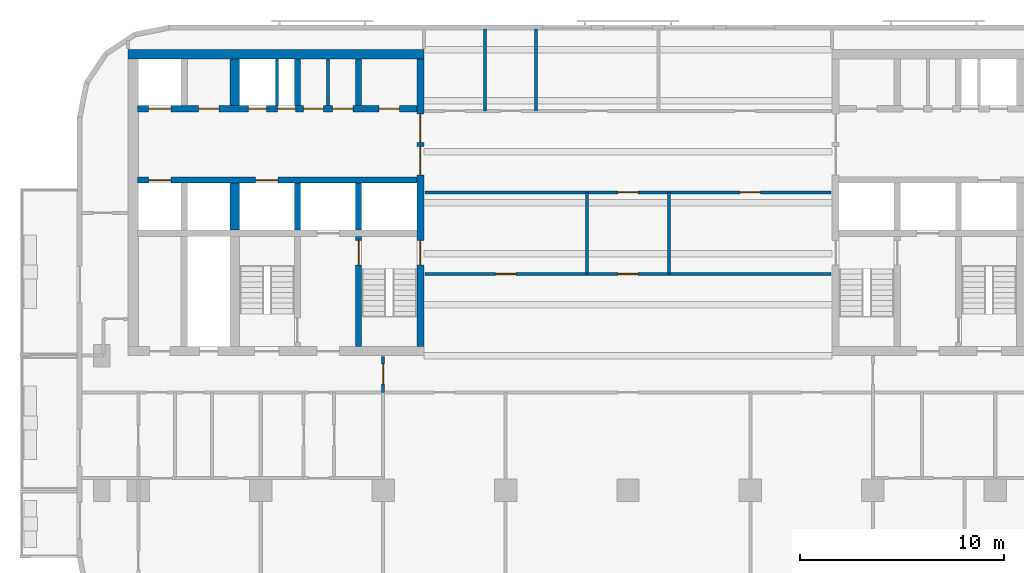
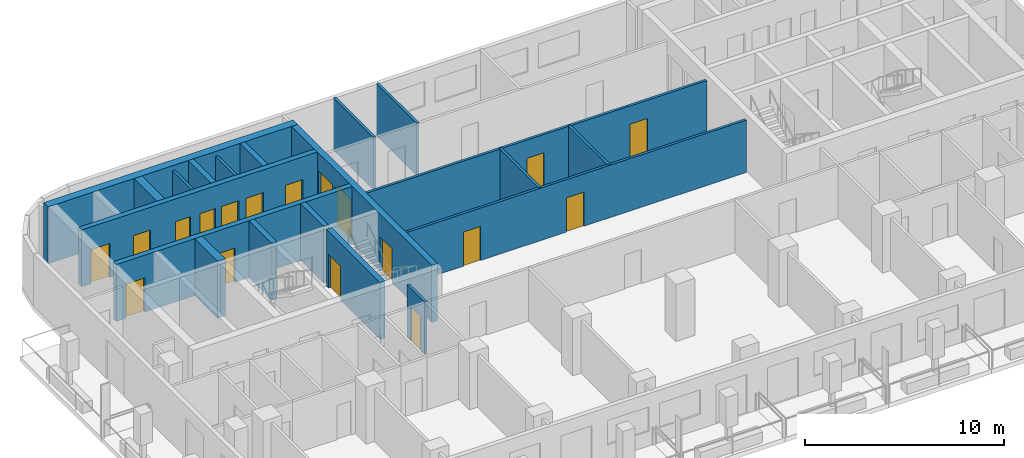
# One storey, part 4 of 11: 20 walls, 18 doors, 18 openings.
"""IFC4 building model written with IfcOpenShell, lengths in metres."""

from ifc_helpers import new_model, si_unit, direction, frame, frame_2d, origin, place, context, subcontext, project, spatial, rectangle, extrude, material, layer, layer_set, type_object, element, fill, save


model = new_model("IFC4")

# Units and contexts
model_context = context("Model", 3, precision=1e-05, world=origin(), true_north=direction((0.0, 1.0)))
body_context = subcontext(model_context, "Body", "Model", "MODEL_VIEW")
ifc_project = project(units=[si_unit("LENGTHUNIT", "METRE"), si_unit("AREAUNIT", "SQUARE_METRE"), si_unit("VOLUMEUNIT", "CUBIC_METRE"), si_unit("PLANEANGLEUNIT", "RADIAN"), si_unit("MASSUNIT", "GRAM", prefix="KILO")], contexts=[model_context])

# Site, building, storey
site_placement = place(None, origin())
site = spatial("IfcSite", under=ifc_project, at=site_placement, CompositionType="ELEMENT")
building_placement = place(site_placement, origin())
building = spatial("IfcBuilding", under=site, at=building_placement, Name="Torana Hotel and Residences", CompositionType="ELEMENT")
storey_placement = place(building_placement, frame((0.0, 0.0, 215.10009765625)))
storey = spatial("IfcBuildingStorey", under=building, at=storey_placement, Name="L56", CompositionType="ELEMENT", Elevation=215.10009765625)

# Wall, openings, doors
ifc_material_1 = material(Name="Concrete C70/85", Category="concrete")
ifc_layer_1 = layer(ifc_material_1, 0.300048828125)
ifc_layer_set_1 = layer_set([ifc_layer_1], Name="CORE WALL 300 C70/85")
wall_type_1 = type_object("IfcWallType", Name="CORE WALL 300 C70/85", PredefinedType="SHEAR", material=ifc_layer_set_1)
wall_1_placement = place(storey_placement, frame((-24.050048828125, -2.89990234375, 0.0), z_axis=(0.0, 0.0, 1.0), x_axis=(1.0, 0.0, 0.0)))
wall_1 = element("IfcWall", 1, at=wall_1_placement, inside=storey, type_object=wall_type_1, Name="Core wall W row-N", PredefinedType="SHEAR", context=body_context, shape_type="SweptSolid", body=[
    extrude(rectangle(XDim=13.699951171875, YDim=0.300048828125, at=frame_2d((6.85009765625, 0.0))), origin(), (0.0, 0.0, 1.0), 3.5),
])
opening_1_placement = place(wall_1_placement, frame((0.550048828125, 0.0, 0.0)))
opening_1 = element("IfcOpeningElement", 2, at=opening_1_placement, cuts=wall_1, Name="Opening LD", PredefinedType="OPENING", context=body_context, shape_type="SweptSolid", body=[
    extrude(rectangle(XDim=1.10009765625, YDim=2.10009765625, at=frame_2d((0.550048828125, 1.050048828125))), frame((0.0, 0.159912109375, 0.0), z_axis=(0.0, -1.0, 0.0), x_axis=(1.0, 0.0, 0.0)), (0.0, 0.0, 1.0), 0.320068359375),
])
opening_2_placement = place(wall_1_placement, frame((6.862548828125, 0.0, 0.0)))
opening_2 = element("IfcOpeningElement", 3, at=opening_2_placement, cuts=wall_1, Name="Opening L56-08", PredefinedType="OPENING", context=body_context, shape_type="SweptSolid", body=[
    extrude(rectangle(XDim=0.89990234375, YDim=2.10009765625, at=frame_2d((0.449951171875, 1.050048828125))), frame((0.0, 0.159912109375, 0.0), z_axis=(0.0, -1.0, 0.0), x_axis=(1.0, 0.0, 0.0)), (0.0, 0.0, 1.0), 0.320068359375),
])
opening_3_placement = place(wall_1_placement, frame((5.4375, 0.0, 0.0)))
opening_3 = element("IfcOpeningElement", 4, at=opening_3_placement, cuts=wall_1, Name="Opening L56-09", PredefinedType="OPENING", context=body_context, shape_type="SweptSolid", body=[
    extrude(rectangle(XDim=0.89990234375, YDim=2.10009765625, at=frame_2d((0.449951171875, 1.050048828125))), frame((0.0, 0.159912109375, 0.0), z_axis=(0.0, -1.0, 0.0), x_axis=(1.0, 0.0, 0.0)), (0.0, 0.0, 1.0), 0.320068359375),
])
opening_4_placement = place(wall_1_placement, frame((11.85009765625, 0.0, 0.0)))
opening_4 = element("IfcOpeningElement", 5, at=opening_4_placement, cuts=wall_1, Name="Opening L56-10", PredefinedType="OPENING", context=body_context, shape_type="SweptSolid", body=[
    extrude(rectangle(XDim=1.0, YDim=2.10009765625, at=frame_2d((0.5, 1.050048828125))), frame((0.0, 0.159912109375, 0.0), z_axis=(0.0, -1.0, 0.0), x_axis=(1.0, 0.0, 0.0)), (0.0, 0.0, 1.0), 0.320068359375),
])
opening_5_placement = place(wall_1_placement, frame((9.5625, 0.0, 0.0)))
opening_5 = element("IfcOpeningElement", 6, at=opening_5_placement, cuts=wall_1, Name="Opening L56-11", PredefinedType="OPENING", context=body_context, shape_type="SweptSolid", body=[
    extrude(rectangle(XDim=1.0, YDim=2.10009765625, at=frame_2d((0.5, 1.050048828125))), frame((0.0, 0.159912109375, 0.0), z_axis=(0.0, -1.0, 0.0), x_axis=(1.0, 0.0, 0.0)), (0.0, 0.0, 1.0), 0.320068359375),
])
opening_6_placement = place(wall_1_placement, frame((8.137451171875, 0.0, 0.0)))
opening_6 = element("IfcOpeningElement", 7, at=opening_6_placement, cuts=wall_1, Name="Opening L56-12", PredefinedType="OPENING", context=body_context, shape_type="SweptSolid", body=[
    extrude(rectangle(XDim=1.0, YDim=2.10009765625, at=frame_2d((0.5, 1.050048828125))), frame((0.0, 0.159912109375, 0.0), z_axis=(0.0, -1.0, 0.0), x_axis=(1.0, 0.0, 0.0)), (0.0, 0.0, 1.0), 0.320068359375),
])
opening_7_placement = place(wall_1_placement, frame((3.0, 0.0, 0.0)))
opening_7 = element("IfcOpeningElement", 8, at=opening_7_placement, cuts=wall_1, Name="Opening L56-13", PredefinedType="OPENING", context=body_context, shape_type="SweptSolid", body=[
    extrude(rectangle(XDim=1.0, YDim=2.10009765625, at=frame_2d((0.5, 1.050048828125))), frame((0.0, 0.159912109375, 0.0), z_axis=(0.0, -1.0, 0.0), x_axis=(1.0, 0.0, 0.0)), (0.0, 0.0, 1.0), 0.320068359375),
])
ifc_material_2 = material(Name="Steel S235", Category="steel")
door_type_1 = type_object("IfcDoorType", Name="CORE ROOM FIRE DOOR D14 1000x2100", OperationType="SINGLE_SWING_LEFT", PredefinedType="DOOR", material=ifc_material_2)
door_1_placement = place(opening_4_placement, origin())
door_1 = element("IfcDoor", 9, at=door_1_placement, inside=storey, type_object=door_type_1, Name="N0 door L56", OperationType="SINGLE_SWING_RIGHT", OverallHeight=2.10009765625, OverallWidth=1.0, PredefinedType="DOOR", context=body_context, shape_type="SweptSolid", body=[
    extrude(rectangle(XDim=1.0, YDim=2.10009765625, at=frame_2d((0.5, 1.050048828125))), frame((0.0, 0.02490234375, 0.0), z_axis=(0.0, -1.0, 0.0), x_axis=(1.0, 0.0, 0.0)), (0.0, 0.0, 1.0), 0.050048828125),
])
fill(opening_4, door_1)
door_2_placement = place(opening_5_placement, origin())
door_2 = element("IfcDoor", 10, at=door_2_placement, inside=storey, type_object=door_type_1, Name="N1A door L56", OperationType="SINGLE_SWING_RIGHT", OverallHeight=2.10009765625, OverallWidth=1.0, PredefinedType="DOOR", context=body_context, shape_type="SweptSolid", body=[
    extrude(rectangle(XDim=1.0, YDim=2.10009765625, at=frame_2d((0.5, 1.050048828125))), frame((0.0, 0.02490234375, 0.0), z_axis=(0.0, -1.0, 0.0), x_axis=(1.0, 0.0, 0.0)), (0.0, 0.0, 1.0), 0.050048828125),
])
fill(opening_5, door_2)
door_3_placement = place(opening_6_placement, origin())
door_3 = element("IfcDoor", 11, at=door_3_placement, inside=storey, type_object=door_type_1, Name="N1B door L56", OperationType="SINGLE_SWING_RIGHT", OverallHeight=2.10009765625, OverallWidth=1.0, PredefinedType="DOOR", context=body_context, shape_type="SweptSolid", body=[
    extrude(rectangle(XDim=1.0, YDim=2.10009765625, at=frame_2d((0.5, 1.050048828125))), frame((0.0, 0.02490234375, 0.0), z_axis=(0.0, -1.0, 0.0), x_axis=(1.0, 0.0, 0.0)), (0.0, 0.0, 1.0), 0.050048828125),
])
fill(opening_6, door_3)
door_4_placement = place(opening_7_placement, origin())
door_4 = element("IfcDoor", 12, at=door_4_placement, inside=storey, type_object=door_type_1, Name="Freed-S1 door L56", OperationType="SINGLE_SWING_RIGHT", OverallHeight=2.10009765625, OverallWidth=1.0, PredefinedType="DOOR", context=body_context, shape_type="SweptSolid", body=[
    extrude(rectangle(XDim=1.0, YDim=2.10009765625, at=frame_2d((0.5, 1.050048828125))), frame((0.0, 0.02490234375, 0.0), z_axis=(0.0, -1.0, 0.0), x_axis=(1.0, 0.0, 0.0)), (0.0, 0.0, 1.0), 0.050048828125),
])
fill(opening_7, door_4)
ifc_material_3 = material(Name="Stainless steel 316", Category="steel")
door_type_2 = type_object("IfcDoorType", Name="LIFT LANDING DOOR LD 1100x2100", OperationType="DOUBLE_DOOR_SLIDING", PredefinedType="USERDEFINED", material=ifc_material_3)
door_5_placement = place(opening_1_placement, origin())
door_5 = element("IfcDoor", 13, at=door_5_placement, inside=storey, type_object=door_type_2, Name="Lift landing door M1 L56", ObjectType="LIFT LANDING DOOR", OperationType="DOUBLE_DOOR_SLIDING", OverallHeight=2.10009765625, OverallWidth=1.10009765625, PredefinedType="USERDEFINED", context=body_context, shape_type="SweptSolid", body=[
    extrude(rectangle(XDim=1.10009765625, YDim=2.10009765625, at=frame_2d((0.550048828125, 1.050048828125))), frame((0.0, 0.02490234375, 0.0), z_axis=(0.0, -1.0, 0.0), x_axis=(1.0, 0.0, 0.0)), (0.0, 0.0, 1.0), 0.050048828125),
])
fill(opening_1, door_5)
ifc_material_4 = material(Name="Steel S235", Category="steel")
door_type_3 = type_object("IfcDoorType", Name="RISER ACCESS DOOR D5 900x2100", OperationType="SINGLE_SWING_LEFT", PredefinedType="DOOR", material=ifc_material_4)
door_6_placement = place(opening_2_placement, origin())
door_6 = element("IfcDoor", 14, at=door_6_placement, inside=storey, type_object=door_type_3, Name="N2A door L56", OperationType="SINGLE_SWING_LEFT", OverallHeight=2.10009765625, OverallWidth=0.89990234375, PredefinedType="DOOR", context=body_context, shape_type="SweptSolid", body=[
    extrude(rectangle(XDim=0.89990234375, YDim=2.10009765625, at=frame_2d((0.449951171875, 1.050048828125))), frame((0.0, 0.02490234375, 0.0), z_axis=(0.0, -1.0, 0.0), x_axis=(1.0, 0.0, 0.0)), (0.0, 0.0, 1.0), 0.050048828125),
])
fill(opening_2, door_6)
door_7_placement = place(opening_3_placement, origin())
door_7 = element("IfcDoor", 15, at=door_7_placement, inside=storey, type_object=door_type_3, Name="N2B door L56", OperationType="SINGLE_SWING_RIGHT", OverallHeight=2.10009765625, OverallWidth=0.89990234375, PredefinedType="DOOR", context=body_context, shape_type="SweptSolid", body=[
    extrude(rectangle(XDim=0.89990234375, YDim=2.10009765625, at=frame_2d((0.449951171875, 1.050048828125))), frame((0.0, 0.02490234375, 0.0), z_axis=(0.0, -1.0, 0.0), x_axis=(1.0, 0.0, 0.0)), (0.0, 0.0, 1.0), 0.050048828125),
])
fill(opening_3, door_7)

wall_2_placement = place(storey_placement, frame((-24.050048828125, -6.39990234375, 0.0), z_axis=(0.0, 0.0, 1.0), x_axis=(1.0, 0.0, 0.0)))
wall_2 = element("IfcWall", 16, at=wall_2_placement, inside=storey, type_object=wall_type_1, Name="Core wall W row-S", PredefinedType="SHEAR", context=body_context, shape_type="SweptSolid", body=[
    extrude(rectangle(XDim=13.699951171875, YDim=0.300048828125, at=frame_2d((6.85009765625, 0.0))), origin(), (0.0, 0.0, 1.0), 3.5),
])
opening_8_placement = place(wall_2_placement, frame((0.550048828125, 0.0, 0.0)))
opening_8 = element("IfcOpeningElement", 17, at=opening_8_placement, cuts=wall_2, Name="Opening LD", PredefinedType="OPENING", context=body_context, shape_type="SweptSolid", body=[
    extrude(rectangle(XDim=1.10009765625, YDim=2.10009765625, at=frame_2d((0.550048828125, 1.050048828125))), frame((0.0, 0.159912109375, 0.0), z_axis=(0.0, -1.0, 0.0), x_axis=(1.0, 0.0, 0.0)), (0.0, 0.0, 1.0), 0.320068359375),
])
opening_9_placement = place(wall_2_placement, frame((5.800048828125, 0.0, 0.0)))
opening_9 = element("IfcOpeningElement", 18, at=opening_9_placement, cuts=wall_2, Name="Opening LD", PredefinedType="OPENING", context=body_context, shape_type="SweptSolid", body=[
    extrude(rectangle(XDim=1.10009765625, YDim=2.10009765625, at=frame_2d((0.550048828125, 1.050048828125))), frame((0.0, 0.159912109375, 0.0), z_axis=(0.0, -1.0, 0.0), x_axis=(1.0, 0.0, 0.0)), (0.0, 0.0, 1.0), 0.320068359375),
])
door_8_placement = place(opening_8_placement, origin())
door_8 = element("IfcDoor", 19, at=door_8_placement, inside=storey, type_object=door_type_2, Name="Lift landing door M2 L56", ObjectType="LIFT LANDING DOOR", OperationType="DOUBLE_DOOR_SLIDING", OverallHeight=2.10009765625, OverallWidth=1.10009765625, PredefinedType="USERDEFINED", context=body_context, shape_type="SweptSolid", body=[
    extrude(rectangle(XDim=1.10009765625, YDim=2.10009765625, at=frame_2d((0.550048828125, 1.050048828125))), frame((0.0, 0.02490234375, 0.0), z_axis=(0.0, -1.0, 0.0), x_axis=(1.0, 0.0, 0.0)), (0.0, 0.0, 1.0), 0.050048828125),
])
fill(opening_8, door_8)
door_9_placement = place(opening_9_placement, origin())
door_9 = element("IfcDoor", 20, at=door_9_placement, inside=storey, type_object=door_type_2, Name="Lift landing door SV1 L56", ObjectType="LIFT LANDING DOOR", OperationType="DOUBLE_DOOR_SLIDING", OverallHeight=2.10009765625, OverallWidth=1.10009765625, PredefinedType="USERDEFINED", context=body_context, shape_type="SweptSolid", body=[
    extrude(rectangle(XDim=1.10009765625, YDim=2.10009765625, at=frame_2d((0.550048828125, 1.050048828125))), frame((0.0, 0.02490234375, 0.0), z_axis=(0.0, -1.0, 0.0), x_axis=(1.0, 0.0, 0.0)), (0.0, 0.0, 1.0), 0.050048828125),
])
fill(opening_9, door_9)

# Walls
for number, where, z_axis, x_axis, name in (
    (21, (-13.199951171875, -2.75, 0.0), (0.0, 0.0, 1.0), (0.0, 1.0, 0.0), "Core wall W x3.05-N"),
    (22, (-13.199951171875, -8.85009765625, 0.0), (0.0, 0.0, 1.0), (0.0, 1.0, 0.0), "Core wall W x3.05-S"),
):
    element("IfcWall", number, at=place(storey_placement, frame(where, z_axis=z_axis, x_axis=x_axis)), inside=storey, type_object=wall_type_1, Name=name, PredefinedType="SHEAR", context=body_context, shape_type="SweptSolid", body=[
        extrude(rectangle(XDim=2.300048828125, YDim=0.300048828125, at=frame_2d((1.14990234375, 0.0))), origin(), (0.0, 0.0, 1.0), 3.5),
    ])

# Wall, opening, door
wall_3_placement = place(storey_placement, frame((-13.199951171875, -14.550048828125, 0.0), z_axis=(0.0, 0.0, 1.0), x_axis=(0.0, 1.0, 0.0)))
wall_3 = element("IfcWall", 23, at=wall_3_placement, inside=storey, type_object=wall_type_1, Name="Core wall W x3.05-band", PredefinedType="SHEAR", context=body_context, shape_type="SweptSolid", body=[
    extrude(rectangle(XDim=5.400146484375, YDim=0.300048828125, at=frame_2d((2.7001953125, 0.0))), origin(), (0.0, 0.0, 1.0), 3.5),
])
opening_10_placement = place(wall_3_placement, frame((4.0, 0.0, 0.0)))
opening_10 = element("IfcOpeningElement", 24, at=opening_10_placement, cuts=wall_3, Name="Opening L56-14", PredefinedType="OPENING", context=body_context, shape_type="SweptSolid", body=[
    extrude(rectangle(XDim=1.199951171875, YDim=2.10009765625, at=frame_2d((0.60009765625, 1.050048828125))), frame((0.0, 0.159912109375, 0.0), z_axis=(0.0, -1.0, 0.0), x_axis=(1.0, 0.0, 0.0)), (0.0, 0.0, 1.0), 0.320068359375),
])
ifc_material_5 = material(Name="Steel S235", Category="steel")
door_type_4 = type_object("IfcDoorType", Name="STAIR FIRE DOOR D3 1200x2100", OperationType="SINGLE_SWING_LEFT", PredefinedType="DOOR", material=ifc_material_5)
door_10_placement = place(opening_10_placement, frame((0.60009765625, 0.0, 0.0), z_axis=(0.0, 0.0, 1.0), x_axis=(-1.0, 0.0, 0.0)))
door_10 = element("IfcDoor", 25, at=door_10_placement, inside=storey, type_object=door_type_4, Name="Stair-A-lobby door L56", OperationType="SINGLE_SWING_RIGHT", OverallHeight=2.10009765625, OverallWidth=1.199951171875, PredefinedType="DOOR", context=body_context, shape_type="SweptSolid", body=[
    extrude(rectangle(XDim=1.199951171875, YDim=2.10009765625, at=frame_2d((0.0, 1.050048828125))), frame((0.0, -0.02490234375, 0.0), z_axis=(0.0, 1.0, 0.0), x_axis=(-1.0, 0.0, 0.0)), (0.0, 0.0, 1.0), 0.050048828125),
])
fill(opening_10, door_10)

# Walls
for number, where, z_axis, x_axis, name in (
    (26, (-16.199951171875, -2.75, 0.0), (0.0, 0.0, 1.0), (0.0, 1.0, 0.0), "Core wall W x6.05-N"),
    (27, (-16.199951171875, -8.85009765625, 0.0), (0.0, 0.0, 1.0), (0.0, 1.0, 0.0), "Core wall W x6.05-S"),
):
    element("IfcWall", number, at=place(storey_placement, frame(where, z_axis=z_axis, x_axis=x_axis)), inside=storey, type_object=wall_type_1, Name=name, PredefinedType="SHEAR", context=body_context, shape_type="SweptSolid", body=[
        extrude(rectangle(XDim=2.300048828125, YDim=0.300048828125, at=frame_2d((1.14990234375, 0.0))), origin(), (0.0, 0.0, 1.0), 3.5),
    ])

# Wall, openings, doors
ifc_material_6 = material(Name="Concrete C70/85", Category="concrete")
ifc_layer_2 = layer(ifc_material_6, 0.35009765625)
ifc_layer_set_2 = layer_set([ifc_layer_2], Name="CORE WALL 350 C70/85")
wall_type_2 = type_object("IfcWallType", Name="CORE WALL 350 C70/85", PredefinedType="SHEAR", material=ifc_layer_set_2)
wall_4_placement = place(storey_placement, frame((-10.175048828125, -14.550048828125, 0.0), z_axis=(0.0, 0.0, 1.0), x_axis=(0.0, 1.0, 0.0)))
wall_4 = element("IfcWall", 28, at=wall_4_placement, inside=storey, type_object=wall_type_2, Name="Core wall W arch", PredefinedType="SHEAR", context=body_context, shape_type="SweptSolid", body=[
    extrude(rectangle(XDim=14.10009765625, YDim=0.35009765625, at=frame_2d((7.050048828125, 0.0))), origin(), (0.0, 0.0, 1.0), 3.5),
])
opening_11_placement = place(wall_4_placement, frame((8.39990234375, 0.0, 0.0)))
opening_11 = element("IfcOpeningElement", 29, at=opening_11_placement, cuts=wall_4, Name="Opening L56-01", PredefinedType="OPENING", context=body_context, shape_type="SweptSolid", body=[
    extrude(rectangle(XDim=1.39990234375, YDim=2.39990234375, at=frame_2d((0.699951171875, 1.199951171875))), frame((0.0, 0.18505859375, 0.0), z_axis=(0.0, -1.0, 0.0), x_axis=(1.0, 0.0, 0.0)), (0.0, 0.0, 1.0), 0.3701171875),
])
opening_12_placement = place(wall_4_placement, frame((10.0, 0.0, 0.0)))
opening_12 = element("IfcOpeningElement", 30, at=opening_12_placement, cuts=wall_4, Name="Opening L56-02", PredefinedType="OPENING", context=body_context, shape_type="SweptSolid", body=[
    extrude(rectangle(XDim=1.39990234375, YDim=2.39990234375, at=frame_2d((0.699951171875, 1.199951171875))), frame((0.0, 0.18505859375, 0.0), z_axis=(0.0, -1.0, 0.0), x_axis=(1.0, 0.0, 0.0)), (0.0, 0.0, 1.0), 0.3701171875),
])
opening_13_placement = place(wall_4_placement, frame((4.0, 0.0, 0.0)))
opening_13 = element("IfcOpeningElement", 31, at=opening_13_placement, cuts=wall_4, Name="Opening L56-03", PredefinedType="OPENING", context=body_context, shape_type="SweptSolid", body=[
    extrude(rectangle(XDim=1.199951171875, YDim=2.10009765625, at=frame_2d((0.60009765625, 1.050048828125))), frame((0.0, 0.18505859375, 0.0), z_axis=(0.0, -1.0, 0.0), x_axis=(1.0, 0.0, 0.0)), (0.0, 0.0, 1.0), 0.3701171875),
])
ifc_material_7 = material(Name="Steel S235", Category="steel")
door_type_5 = type_object("IfcDoorType", Name="LOBBY FIRE DOOR D4 1400x2400", OperationType="DOUBLE_DOOR_SINGLE_SWING", PredefinedType="DOOR", material=ifc_material_7)
door_11_placement = place(opening_11_placement, origin())
door_11 = element("IfcDoor", 32, at=door_11_placement, inside=storey, type_object=door_type_5, Name="Lobby-1 door L56", OperationType="DOUBLE_DOOR_SINGLE_SWING", OverallHeight=2.39990234375, OverallWidth=1.39990234375, PredefinedType="DOOR", context=body_context, shape_type="SweptSolid", body=[
    extrude(rectangle(XDim=1.39990234375, YDim=2.39990234375, at=frame_2d((0.699951171875, 1.199951171875))), frame((0.0, 0.02490234375, 0.0), z_axis=(0.0, -1.0, 0.0), x_axis=(1.0, 0.0, 0.0)), (0.0, 0.0, 1.0), 0.050048828125),
])
fill(opening_11, door_11)
door_12_placement = place(opening_12_placement, origin())
door_12 = element("IfcDoor", 33, at=door_12_placement, inside=storey, type_object=door_type_5, Name="Lobby-2 door L56", OperationType="DOUBLE_DOOR_SINGLE_SWING", OverallHeight=2.39990234375, OverallWidth=1.39990234375, PredefinedType="DOOR", context=body_context, shape_type="SweptSolid", body=[
    extrude(rectangle(XDim=1.39990234375, YDim=2.39990234375, at=frame_2d((0.699951171875, 1.199951171875))), frame((0.0, 0.02490234375, 0.0), z_axis=(0.0, -1.0, 0.0), x_axis=(1.0, 0.0, 0.0)), (0.0, 0.0, 1.0), 0.050048828125),
])
fill(opening_12, door_12)
door_13_placement = place(opening_13_placement, origin())
door_13 = element("IfcDoor", 34, at=door_13_placement, inside=storey, type_object=door_type_4, Name="Stair-A door L56", OperationType="SINGLE_SWING_LEFT", OverallHeight=2.10009765625, OverallWidth=1.199951171875, PredefinedType="DOOR", context=body_context, shape_type="SweptSolid", body=[
    extrude(rectangle(XDim=1.199951171875, YDim=2.10009765625, at=frame_2d((0.60009765625, 1.050048828125))), frame((0.0, 0.02490234375, 0.0), z_axis=(0.0, -1.0, 0.0), x_axis=(1.0, 0.0, 0.0)), (0.0, 0.0, 1.0), 0.050048828125),
])
fill(opening_13, door_13)

# Walls
ifc_material_8 = material(Name="Concrete C70/85", Category="concrete")
ifc_layer_3 = layer(ifc_material_8, 0.449951171875)
ifc_layer_set_3 = layer_set([ifc_layer_3], Name="CORE WALL 450 C70/85")
wall_type_3 = type_object("IfcWallType", Name="CORE WALL 450 C70/85", PredefinedType="SHEAR", material=ifc_layer_set_3)
wall_5_placement = place(storey_placement, frame((-24.5, -0.22509765625, 0.0), z_axis=(0.0, 0.0, 1.0), x_axis=(1.0, 0.0, 0.0)))
element("IfcWall", 35, at=wall_5_placement, inside=storey, type_object=wall_type_3, Name="Core wall W rear", PredefinedType="SHEAR", context=body_context, shape_type="SweptSolid", body=[
    extrude(rectangle(XDim=14.5, YDim=0.449951171875, at=frame_2d((7.25, 0.0))), origin(), (0.0, 0.0, 1.0), 3.5),
])
for number, where, z_axis, x_axis, name in (
    (36, (-19.27490234375, -2.75, 0.0), (0.0, 0.0, 1.0), (0.0, 1.0, 0.0), "Core wall W hm-N"),
    (37, (-19.27490234375, -8.85009765625, 0.0), (0.0, 0.0, 1.0), (0.0, 1.0, 0.0), "Core wall W hm-S"),
):
    element("IfcWall", number, at=place(storey_placement, frame(where, z_axis=z_axis, x_axis=x_axis)), inside=storey, type_object=wall_type_3, Name=name, PredefinedType="SHEAR", context=body_context, shape_type="SweptSolid", body=[
        extrude(rectangle(XDim=2.300048828125, YDim=0.449951171875, at=frame_2d((1.14990234375, 0.0))), origin(), (0.0, 0.0, 1.0), 3.5),
    ])
ifc_material_9 = material(Name="Gypsum plaster")
ifc_layer_4 = layer(ifc_material_9, 0.014892578125, Name="Plaster", Category="finish")
ifc_material_10 = material(Name="Concrete blockwork", Category="masonry")
ifc_layer_5 = layer(ifc_material_10, 0.1201171875, Name="Blockwork", Category="structure")
ifc_layer_6 = layer(ifc_material_9, 0.014892578125, Name="Plaster", Category="finish")
ifc_layer_set_4 = layer_set([ifc_layer_4, ifc_layer_5, ifc_layer_6], Name="FIRE PARTITION 150 BLOCKWORK")
wall_type_4 = type_object("IfcWallType", Name="FIRE PARTITION 150 BLOCKWORK", PredefinedType="PARTITIONING", material=ifc_layer_set_4)
for number, where, z_axis, x_axis, name in (
    (38, (-17.199951171875, -2.75, 0.0), (0.0, 0.0, 1.0), (0.0, 1.0, 0.0), "Core partition L56"),
    (39, (-14.699951171875, -2.75, 0.0), (0.0, 0.0, 1.0), (0.0, 1.0, 0.0), "Core partition L56"),
):
    element("IfcWall", number, at=place(storey_placement, frame(where, z_axis=z_axis, x_axis=x_axis)), inside=storey, type_object=wall_type_4, Name=name, PredefinedType="PARTITIONING", context=body_context, shape_type="SweptSolid", body=[
        extrude(rectangle(XDim=2.300048828125, YDim=0.14990234375, at=frame_2d((1.14990234375, 0.0))), origin(), (0.0, 0.0, 1.0), 3.199951171875),
    ])
for number, where, z_axis, x_axis, name in (
    (40, (2.0, -11.0, 0.0), (0.0, 0.0, 1.0), (0.0, 1.0, 0.0), "Partition L56"),
    (41, (-2.0, -11.0, 0.0), (0.0, 0.0, 1.0), (0.0, 1.0, 0.0), "Partition L56"),
):
    element("IfcWall", number, at=place(storey_placement, frame(where, z_axis=z_axis, x_axis=x_axis)), inside=storey, type_object=wall_type_4, Name=name, PredefinedType="PARTITIONING", context=body_context, shape_type="SweptSolid", body=[
        extrude(rectangle(XDim=4.0, YDim=0.14990234375, at=frame_2d((2.0, 0.0))), origin(), (0.0, 0.0, 1.0), 3.219970703125),
    ])

# Wall, opening, door
wall_6_placement = place(storey_placement, frame((-12.0, -16.800048828125, 0.0), z_axis=(0.0, 0.0, 1.0), x_axis=(0.0, 1.0, 0.0)))
wall_6 = element("IfcWall", 42, at=wall_6_placement, inside=storey, type_object=wall_type_4, Name="Partition L56", PredefinedType="PARTITIONING", context=body_context, shape_type="SweptSolid", body=[
    extrude(rectangle(XDim=1.75, YDim=0.14990234375, at=frame_2d((0.875, 0.0))), origin(), (0.0, 0.0, 1.0), 3.219970703125),
])
opening_14_placement = place(wall_6_placement, frame((0.39990234375, 0.0, 0.0)))
opening_14 = element("IfcOpeningElement", 43, at=opening_14_placement, cuts=wall_6, Name="Opening L56-31", PredefinedType="OPENING", context=body_context, shape_type="SweptSolid", body=[
    extrude(rectangle(XDim=1.0, YDim=2.10009765625, at=frame_2d((0.5, 1.050048828125))), frame((0.0, 0.0849609375, 0.0), z_axis=(0.0, -1.0, 0.0), x_axis=(1.0, 0.0, 0.0)), (0.0, 0.0, 1.0), 0.169921875),
])
ifc_material_11 = material(Name="Steel S235", Category="steel")
door_type_6 = type_object("IfcDoorType", Name="ENTRY FIRE DOOR D6 1000x2100", OperationType="SINGLE_SWING_LEFT", PredefinedType="DOOR", material=ifc_material_11)
door_14_placement = place(opening_14_placement, origin())
door_14 = element("IfcDoor", 44, at=door_14_placement, inside=storey, type_object=door_type_6, Name="Door L56", OperationType="SINGLE_SWING_RIGHT", OverallHeight=2.10009765625, OverallWidth=1.0, PredefinedType="DOOR", context=body_context, shape_type="SweptSolid", body=[
    extrude(rectangle(XDim=1.0, YDim=2.10009765625, at=frame_2d((0.5, 1.050048828125))), frame((0.0, 0.02490234375, 0.0), z_axis=(0.0, -1.0, 0.0), x_axis=(1.0, 0.0, 0.0)), (0.0, 0.0, 1.0), 0.050048828125),
])
fill(opening_14, door_14)

# Wall, openings, doors
wall_7_placement = place(storey_placement, frame((-9.949951171875, -11.0, 0.0), z_axis=(0.0, 0.0, 1.0), x_axis=(1.0, 0.0, 0.0)))
wall_7 = element("IfcWall", 45, at=wall_7_placement, inside=storey, type_object=wall_type_4, Name="Partition L56", PredefinedType="PARTITIONING", context=body_context, shape_type="SweptSolid", body=[
    extrude(rectangle(XDim=19.89990234375, YDim=0.14990234375, at=frame_2d((9.949951171875, 0.0))), origin(), (0.0, 0.0, 1.0), 3.219970703125),
])
opening_15_placement = place(wall_7_placement, frame((9.449951171875, 0.0, 0.0)))
opening_15 = element("IfcOpeningElement", 46, at=opening_15_placement, cuts=wall_7, Name="Opening L56-40", PredefinedType="OPENING", context=body_context, shape_type="SweptSolid", body=[
    extrude(rectangle(XDim=1.0, YDim=2.10009765625, at=frame_2d((0.5, 1.050048828125))), frame((0.0, 0.0849609375, 0.0), z_axis=(0.0, -1.0, 0.0), x_axis=(1.0, 0.0, 0.0)), (0.0, 0.0, 1.0), 0.169921875),
])
opening_16_placement = place(wall_7_placement, frame((3.449951171875, 0.0, 0.0)))
opening_16 = element("IfcOpeningElement", 47, at=opening_16_placement, cuts=wall_7, Name="Opening L56-44", PredefinedType="OPENING", context=body_context, shape_type="SweptSolid", body=[
    extrude(rectangle(XDim=1.0, YDim=2.10009765625, at=frame_2d((0.5, 1.050048828125))), frame((0.0, 0.0849609375, 0.0), z_axis=(0.0, -1.0, 0.0), x_axis=(1.0, 0.0, 0.0)), (0.0, 0.0, 1.0), 0.169921875),
])
door_15_placement = place(opening_15_placement, origin())
door_15 = element("IfcDoor", 48, at=door_15_placement, inside=storey, type_object=door_type_6, Name="Door L56", OperationType="SINGLE_SWING_RIGHT", OverallHeight=2.10009765625, OverallWidth=1.0, PredefinedType="DOOR", context=body_context, shape_type="SweptSolid", body=[
    extrude(rectangle(XDim=1.0, YDim=2.10009765625, at=frame_2d((0.5, 1.050048828125))), frame((0.0, 0.02490234375, 0.0), z_axis=(0.0, -1.0, 0.0), x_axis=(1.0, 0.0, 0.0)), (0.0, 0.0, 1.0), 0.050048828125),
])
fill(opening_15, door_15)
door_16_placement = place(opening_16_placement, origin())
door_16 = element("IfcDoor", 49, at=door_16_placement, inside=storey, type_object=door_type_6, Name="Door L56", OperationType="SINGLE_SWING_RIGHT", OverallHeight=2.10009765625, OverallWidth=1.0, PredefinedType="DOOR", context=body_context, shape_type="SweptSolid", body=[
    extrude(rectangle(XDim=1.0, YDim=2.10009765625, at=frame_2d((0.5, 1.050048828125))), frame((0.0, 0.02490234375, 0.0), z_axis=(0.0, -1.0, 0.0), x_axis=(1.0, 0.0, 0.0)), (0.0, 0.0, 1.0), 0.050048828125),
])
fill(opening_16, door_16)

wall_8_placement = place(storey_placement, frame((-9.949951171875, -7.0, 0.0), z_axis=(0.0, 0.0, 1.0), x_axis=(1.0, 0.0, 0.0)))
wall_8 = element("IfcWall", 50, at=wall_8_placement, inside=storey, type_object=wall_type_4, Name="Partition L56", PredefinedType="PARTITIONING", context=body_context, shape_type="SweptSolid", body=[
    extrude(rectangle(XDim=19.89990234375, YDim=0.14990234375, at=frame_2d((9.949951171875, 0.0))), origin(), (0.0, 0.0, 1.0), 3.219970703125),
])
opening_17_placement = place(wall_8_placement, frame((9.449951171875, 0.0, 0.0)))
opening_17 = element("IfcOpeningElement", 51, at=opening_17_placement, cuts=wall_8, Name="Opening L56-45", PredefinedType="OPENING", context=body_context, shape_type="SweptSolid", body=[
    extrude(rectangle(XDim=1.0, YDim=2.10009765625, at=frame_2d((0.5, 1.050048828125))), frame((0.0, 0.0849609375, 0.0), z_axis=(0.0, -1.0, 0.0), x_axis=(1.0, 0.0, 0.0)), (0.0, 0.0, 1.0), 0.169921875),
])
opening_18_placement = place(wall_8_placement, frame((15.449951171875, 0.0, 0.0)))
opening_18 = element("IfcOpeningElement", 52, at=opening_18_placement, cuts=wall_8, Name="Opening L56-46", PredefinedType="OPENING", context=body_context, shape_type="SweptSolid", body=[
    extrude(rectangle(XDim=1.0, YDim=2.10009765625, at=frame_2d((0.5, 1.050048828125))), frame((0.0, 0.0849609375, 0.0), z_axis=(0.0, -1.0, 0.0), x_axis=(1.0, 0.0, 0.0)), (0.0, 0.0, 1.0), 0.169921875),
])
door_17_placement = place(opening_17_placement, origin())
door_17 = element("IfcDoor", 53, at=door_17_placement, inside=storey, type_object=door_type_6, Name="Door L56", OperationType="SINGLE_SWING_RIGHT", OverallHeight=2.10009765625, OverallWidth=1.0, PredefinedType="DOOR", context=body_context, shape_type="SweptSolid", body=[
    extrude(rectangle(XDim=1.0, YDim=2.10009765625, at=frame_2d((0.5, 1.050048828125))), frame((0.0, 0.02490234375, 0.0), z_axis=(0.0, -1.0, 0.0), x_axis=(1.0, 0.0, 0.0)), (0.0, 0.0, 1.0), 0.050048828125),
])
fill(opening_17, door_17)
door_18_placement = place(opening_18_placement, frame((0.5, 0.0, 0.0), z_axis=(0.0, 0.0, 1.0), x_axis=(-1.0, 0.0, 0.0)))
door_18 = element("IfcDoor", 54, at=door_18_placement, inside=storey, type_object=door_type_6, Name="Door L56", OperationType="SINGLE_SWING_LEFT", OverallHeight=2.10009765625, OverallWidth=1.0, PredefinedType="DOOR", context=body_context, shape_type="SweptSolid", body=[
    extrude(rectangle(XDim=1.0, YDim=2.10009765625, at=frame_2d((0.0, 1.050048828125))), frame((0.0, -0.02490234375, 0.0), z_axis=(0.0, 1.0, 0.0), x_axis=(-1.0, 0.0, 0.0)), (0.0, 0.0, 1.0), 0.050048828125),
])
fill(opening_18, door_18)

# Walls
ifc_material_12 = material(Name="Ceramic tile on adhesive")
ifc_layer_7 = layer(ifc_material_12, 0.010009765625, Name="Wall tile", Category="finish")
ifc_material_13 = material(Name="Cement render")
ifc_layer_8 = layer(ifc_material_13, 0.010009765625, Name="Render", Category="finish")
ifc_layer_9 = layer(ifc_material_10, 0.110107421875, Name="Blockwork", Category="structure")
ifc_layer_10 = layer(ifc_material_13, 0.010009765625, Name="Render", Category="finish")
ifc_layer_11 = layer(ifc_material_12, 0.010009765625, Name="Wall tile", Category="finish")
ifc_layer_set_5 = layer_set([ifc_layer_7, ifc_layer_8, ifc_layer_9, ifc_layer_10, ifc_layer_11], Name="WC PARTITION 150")
wall_type_5 = type_object("IfcWallType", Name="WC PARTITION 150", PredefinedType="PLUMBINGWALL", material=ifc_layer_set_5)
for number, where, z_axis, x_axis, name in (
    (55, (-4.5, -3.0, 0.0), (0.0, 0.0, 1.0), (0.0, 1.0, 0.0), "Partition L56"),
    (56, (-7.0, -3.0, 0.0), (0.0, 0.0, 1.0), (0.0, 1.0, 0.0), "Partition L56"),
):
    element("IfcWall", number, at=place(storey_placement, frame(where, z_axis=z_axis, x_axis=x_axis)), inside=storey, type_object=wall_type_5, Name=name, PredefinedType="PLUMBINGWALL", context=body_context, shape_type="SweptSolid", body=[
        extrude(rectangle(XDim=4.02001953125, YDim=0.14990234375, at=frame_2d((2.010009765625, 0.0))), origin(), (0.0, 0.0, 1.0), 3.219970703125),
    ])

save(model, "model.ifc")
